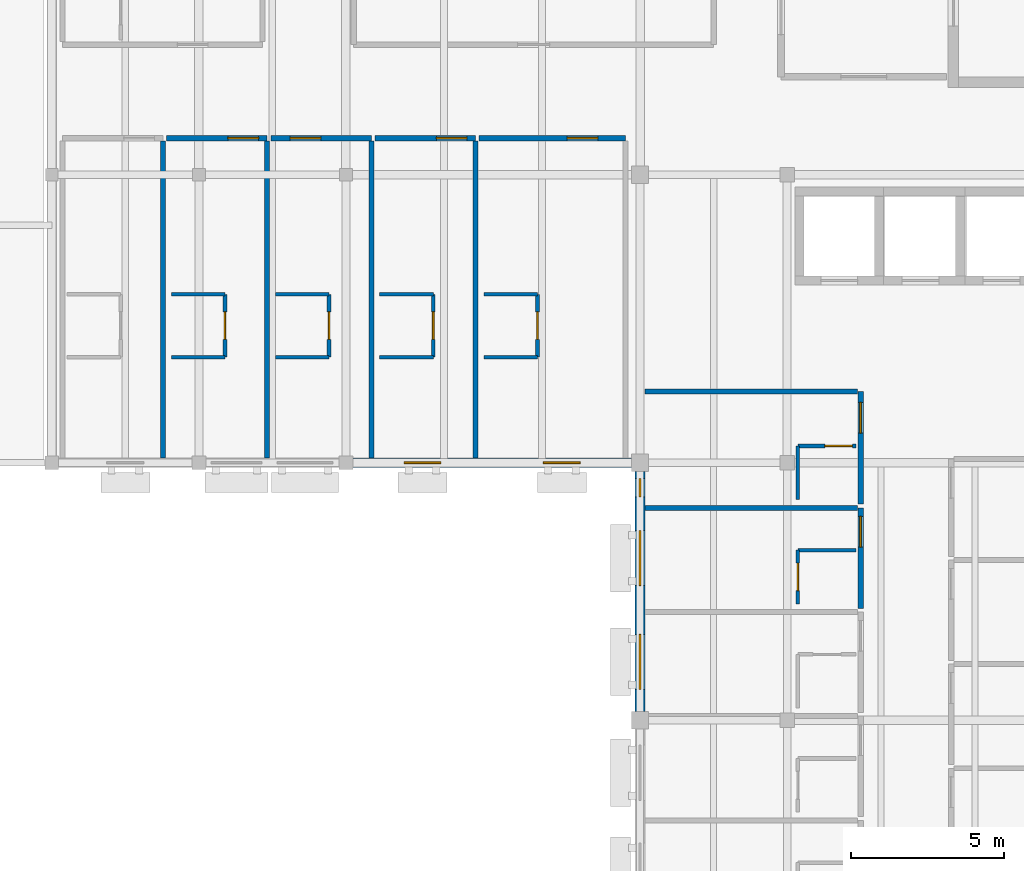
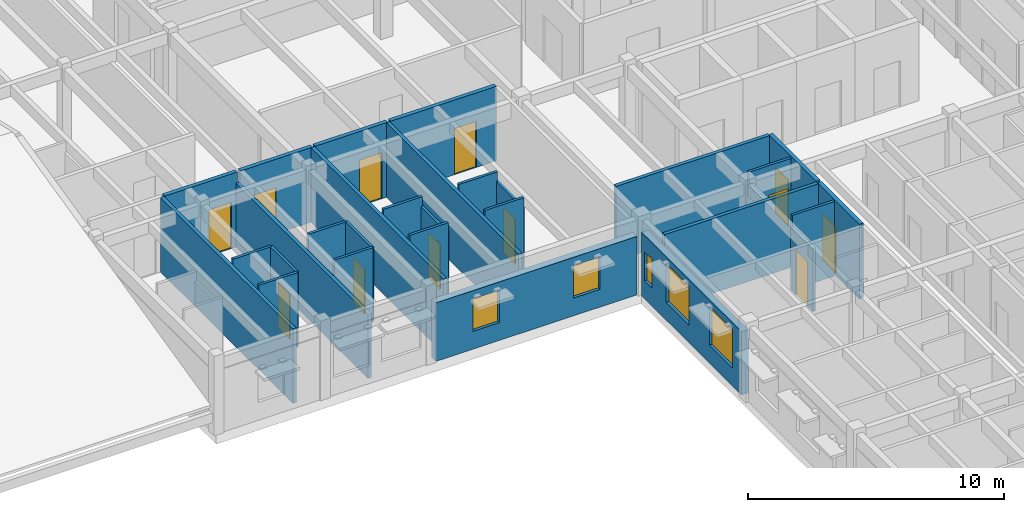
# One storey, part 31 of 40: 30 walls, 12 doors, 5 windows, 17 openings.
"""IFC4 building model written with IfcOpenShell, lengths in metres."""

from ifc_helpers import new_model, si_unit, direction, frame, frame_2d, origin, place, context, subcontext, project, spatial, rectangle, extrude, material, layer, layer_set, type_object, element, fill, save


model = new_model("IFC4")

# Units and contexts
model_context = context("Model", 3, precision=1e-05, world=origin(), true_north=direction((0.0, 1.0)))
body_context = subcontext(model_context, "Body", "Model", "MODEL_VIEW")
ifc_project = project(units=[si_unit("LENGTHUNIT", "METRE"), si_unit("AREAUNIT", "SQUARE_METRE"), si_unit("VOLUMEUNIT", "CUBIC_METRE"), si_unit("PLANEANGLEUNIT", "RADIAN"), si_unit("MASSUNIT", "GRAM", prefix="KILO")], contexts=[model_context])

# Site, building, storey
site_placement = place(None, origin())
site = spatial("IfcSite", under=ifc_project, at=site_placement, CompositionType="ELEMENT")
building_placement = place(site_placement, origin())
building = spatial("IfcBuilding", under=site, at=building_placement, Name="Veldera Park Congress Hotel", CompositionType="ELEMENT")
storey_placement = place(building_placement, frame((0.0, 0.0, 16.199951171875)))
storey = spatial("IfcBuildingStorey", under=building, at=storey_placement, Name="L03", CompositionType="ELEMENT", Elevation=16.199951171875)

# Wall, openings, windows
ifc_material_1 = material(Name="Cross-laminated timber CLT V2M1.1", Category="wood")
ifc_layer_1 = layer(ifc_material_1, 0.320068359375)
ifc_layer_set_1 = layer_set([ifc_layer_1], Name="Cross-laminated timber CLT V2M1.1")
wall_type_1 = type_object("IfcWallType", Name="EW-CLT320", PredefinedType="STANDARD", material=ifc_layer_set_1)
wall_1_placement = place(storey_placement, frame((51.423095703125, 27.0, 0.0), z_axis=(0.0, 0.0, 1.0), x_axis=(1.0, 0.0, 0.0)))
wall_1 = element("IfcWall", 1, at=wall_1_placement, inside=storey, type_object=wall_type_1, Name="L03 Exterior Wall EW3-L03-0232", PredefinedType="STANDARD", context=body_context, shape_type="SweptSolid", body=[
    extrude(rectangle(XDim=9.098876953125, YDim=0.320068359375, at=frame_2d((4.54931640625, 0.0))), origin(), (0.0, 0.0, 1.0), 2.795166015625),
])
opening_1_placement = place(wall_1_placement, frame((1.6748046875, 0.0, 0.85009765625)))
opening_1 = element("IfcOpeningElement", 2, at=opening_1_placement, cuts=wall_1, Name="Opening WIN-1200", PredefinedType="OPENING", context=body_context, shape_type="SweptSolid", body=[
    extrude(rectangle(XDim=1.199951171875, YDim=1.550048828125, at=frame_2d((0.60009765625, 0.77490234375))), frame((0.0, 0.172119140625, 0.0), z_axis=(0.0, -1.0, 0.0), x_axis=(1.0, 0.0, 0.0)), (0.0, 0.0, 1.0), 0.343994140625),
])
opening_2_placement = place(wall_1_placement, frame((6.22412109375, 0.0, 0.85009765625)))
opening_2 = element("IfcOpeningElement", 3, at=opening_2_placement, cuts=wall_1, Name="Opening WIN-1200", PredefinedType="OPENING", context=body_context, shape_type="SweptSolid", body=[
    extrude(rectangle(XDim=1.199951171875, YDim=1.550048828125, at=frame_2d((0.60009765625, 0.77490234375))), frame((0.0, 0.172119140625, 0.0), z_axis=(0.0, -1.0, 0.0), x_axis=(1.0, 0.0, 0.0)), (0.0, 0.0, 1.0), 0.343994140625),
])
ifc_material_2 = material(Name="Low-E Triple Insulating Glass Unit (SHGC 0.22)", Category="glass")
window_type_1 = type_object("IfcWindowType", Name="WIN-1200", PartitioningType="SINGLE_PANEL", PredefinedType="WINDOW", material=ifc_material_2)
window_1_placement = place(opening_1_placement, origin())
window_1 = element("IfcWindow", 4, at=window_1_placement, inside=storey, type_object=window_type_1, Name="L03 Window WIN-1200 196", OverallHeight=1.550048828125, OverallWidth=1.199951171875, PartitioningType="SINGLE_PANEL", PredefinedType="WINDOW", context=body_context, shape_type="SweptSolid", body=[
    extrude(rectangle(XDim=1.199951171875, YDim=1.550048828125, at=frame_2d((0.60009765625, 0.77490234375))), frame((0.0, 0.030029296875, 0.0), z_axis=(0.0, -1.0, 0.0), x_axis=(1.0, 0.0, 0.0)), (0.0, 0.0, 1.0), 0.06005859375),
])
fill(opening_1, window_1)
window_2_placement = place(opening_2_placement, origin())
window_2 = element("IfcWindow", 5, at=window_2_placement, inside=storey, type_object=window_type_1, Name="L03 Window WIN-1200 197", OverallHeight=1.550048828125, OverallWidth=1.199951171875, PartitioningType="SINGLE_PANEL", PredefinedType="WINDOW", context=body_context, shape_type="SweptSolid", body=[
    extrude(rectangle(XDim=1.199951171875, YDim=1.550048828125, at=frame_2d((0.60009765625, 0.77490234375))), frame((0.0, 0.030029296875, 0.0), z_axis=(0.0, -1.0, 0.0), x_axis=(1.0, 0.0, 0.0)), (0.0, 0.0, 1.0), 0.06005859375),
])
fill(opening_2, window_2)

wall_2_placement = place(storey_placement, frame((60.800048828125, 26.721923828125, 0.0), z_axis=(0.0, 0.0, 1.0), x_axis=(0.0, -1.0, 0.0)))
wall_2 = element("IfcWall", 6, at=wall_2_placement, inside=storey, type_object=wall_type_1, Name="L03 Exterior Wall EW3-L03-0233", PredefinedType="STANDARD", context=body_context, shape_type="SweptSolid", body=[
    extrude(rectangle(XDim=7.843994140625, YDim=0.320068359375, at=frame_2d((3.921875, 0.0))), origin(), (0.0, 0.0, 1.0), 3.01513671875),
])
opening_3_placement = place(wall_2_placement, frame((5.318115234375, 0.0, 0.85009765625)))
opening_3 = element("IfcOpeningElement", 7, at=opening_3_placement, cuts=wall_2, Name="Opening WIN-1800", PredefinedType="OPENING", context=body_context, shape_type="SweptSolid", body=[
    extrude(rectangle(XDim=1.800048828125, YDim=1.85009765625, at=frame_2d((0.89990234375, 0.925048828125))), frame((0.0, 0.172119140625, 0.0), z_axis=(0.0, -1.0, 0.0), x_axis=(1.0, 0.0, 0.0)), (0.0, 0.0, 1.0), 0.343994140625),
])
opening_4_placement = place(wall_2_placement, frame((1.931884765625, 0.0, 0.85009765625)))
opening_4 = element("IfcOpeningElement", 8, at=opening_4_placement, cuts=wall_2, Name="Opening WIN-1800", PredefinedType="OPENING", context=body_context, shape_type="SweptSolid", body=[
    extrude(rectangle(XDim=1.800048828125, YDim=1.85009765625, at=frame_2d((0.89990234375, 0.925048828125))), frame((0.0, 0.172119140625, 0.0), z_axis=(0.0, -1.0, 0.0), x_axis=(1.0, 0.0, 0.0)), (0.0, 0.0, 1.0), 0.343994140625),
])
opening_5_placement = place(wall_2_placement, frame((0.236083984375, 0.0, 0.85009765625)))
opening_5 = element("IfcOpeningElement", 9, at=opening_5_placement, cuts=wall_2, Name="Opening WIN-0600", PredefinedType="OPENING", context=body_context, shape_type="SweptSolid", body=[
    extrude(rectangle(XDim=0.60009765625, YDim=1.39990234375, at=frame_2d((0.300048828125, 0.699951171875))), frame((0.0, 0.172119140625, 0.0), z_axis=(0.0, -1.0, 0.0), x_axis=(1.0, 0.0, 0.0)), (0.0, 0.0, 1.0), 0.343994140625),
])
window_type_2 = type_object("IfcWindowType", Name="WIN-0600", PartitioningType="SINGLE_PANEL", PredefinedType="WINDOW", material=ifc_material_2)
window_3_placement = place(opening_5_placement, origin())
window_3 = element("IfcWindow", 10, at=window_3_placement, inside=storey, type_object=window_type_2, Name="L03 Window WIN-0600 417", OverallHeight=1.39990234375, OverallWidth=0.60009765625, PartitioningType="SINGLE_PANEL", PredefinedType="WINDOW", context=body_context, shape_type="SweptSolid", body=[
    extrude(rectangle(XDim=0.60009765625, YDim=1.39990234375, at=frame_2d((0.300048828125, 0.699951171875))), frame((0.0, 0.030029296875, 0.0), z_axis=(0.0, -1.0, 0.0), x_axis=(1.0, 0.0, 0.0)), (0.0, 0.0, 1.0), 0.06005859375),
])
fill(opening_5, window_3)
window_type_3 = type_object("IfcWindowType", Name="WIN-1800", PartitioningType="SINGLE_PANEL", PredefinedType="WINDOW", material=ifc_material_2)
window_4_placement = place(opening_3_placement, origin())
window_4 = element("IfcWindow", 11, at=window_4_placement, inside=storey, type_object=window_type_3, Name="L03 Window WIN-1800 415", OverallHeight=1.85009765625, OverallWidth=1.800048828125, PartitioningType="SINGLE_PANEL", PredefinedType="WINDOW", context=body_context, shape_type="SweptSolid", body=[
    extrude(rectangle(XDim=1.800048828125, YDim=1.85009765625, at=frame_2d((0.89990234375, 0.925048828125))), frame((0.0, 0.030029296875, 0.0), z_axis=(0.0, -1.0, 0.0), x_axis=(1.0, 0.0, 0.0)), (0.0, 0.0, 1.0), 0.06005859375),
])
fill(opening_3, window_4)
window_5_placement = place(opening_4_placement, origin())
window_5 = element("IfcWindow", 12, at=window_5_placement, inside=storey, type_object=window_type_3, Name="L03 Window WIN-1800 416", OverallHeight=1.85009765625, OverallWidth=1.800048828125, PartitioningType="SINGLE_PANEL", PredefinedType="WINDOW", context=body_context, shape_type="SweptSolid", body=[
    extrude(rectangle(XDim=1.800048828125, YDim=1.85009765625, at=frame_2d((0.89990234375, 0.925048828125))), frame((0.0, 0.030029296875, 0.0), z_axis=(0.0, -1.0, 0.0), x_axis=(1.0, 0.0, 0.0)), (0.0, 0.0, 1.0), 0.06005859375),
])
fill(opening_4, window_5)

# Wall, opening, door
ifc_material_3 = material(Name="Fire-Rated Gypsum Board on Cold-Formed Steel Studs", Category="steel")
ifc_layer_2 = layer(ifc_material_3, 0.1201171875)
ifc_layer_set_2 = layer_set([ifc_layer_2], Name="Fire-Rated Gypsum Board on Cold-Formed Steel Studs")
wall_type_2 = type_object("IfcWallType", Name="IW-BATH120", PredefinedType="PARTITIONING", material=ifc_layer_set_2)
wall_3_placement = place(storey_placement, frame((65.949951171875, 22.39990234375, 0.0), z_axis=(0.0, 0.0, 1.0), x_axis=(0.0, 1.0, 0.0)))
wall_3 = element("IfcWall", 13, at=wall_3_placement, inside=storey, type_object=wall_type_2, Name="L03 Partition Wall IW3-L03-00662", PredefinedType="PARTITIONING", context=body_context, shape_type="SweptSolid", body=[
    extrude(rectangle(XDim=1.75, YDim=0.1201171875, at=frame_2d((0.875, 0.0))), origin(), (0.0, 0.0, 1.0), 3.01513671875),
])
opening_6_placement = place(wall_3_placement, frame((0.425048828125, 0.0, 0.0)))
opening_6 = element("IfcOpeningElement", 14, at=opening_6_placement, cuts=wall_3, Name="Opening ID-BATH090", PredefinedType="OPENING", context=body_context, shape_type="SweptSolid", body=[
    extrude(rectangle(XDim=0.89990234375, YDim=2.14990234375, at=frame_2d((0.449951171875, 1.074951171875))), frame((0.0, 0.072021484375, 0.0), z_axis=(0.0, -1.0, 0.0), x_axis=(1.0, 0.0, 0.0)), (0.0, 0.0, 1.0), 0.14404296875),
])
ifc_material_4 = material(Name="Solid Core White Oak Architectural Door", Category="wood")
door_type_1 = type_object("IfcDoorType", Name="ID-BATH090", OperationType="NOTDEFINED", PredefinedType="DOOR", material=ifc_material_4)
door_1_placement = place(opening_6_placement, origin())
door_1 = element("IfcDoor", 15, at=door_1_placement, inside=storey, type_object=door_type_1, Name="L03 En-suite 067 Door ID3-L03-0273 (DR3-ID3-L03-0273)", OperationType="SINGLE_SWING_LEFT", OverallHeight=2.14990234375, OverallWidth=0.89990234375, PredefinedType="DOOR", context=body_context, shape_type="SweptSolid", body=[
    extrude(rectangle(XDim=0.89990234375, YDim=2.14990234375, at=frame_2d((0.449951171875, 1.074951171875))), frame((0.0, 0.02490234375, 0.0), z_axis=(0.0, -1.0, 0.0), x_axis=(1.0, 0.0, 0.0)), (0.0, 0.0, 1.0), 0.050048828125),
])
fill(opening_6, door_1)

# Walls
wall_4_placement = place(storey_placement, frame((65.949951171875, 24.14990234375, 0.0), z_axis=(0.0, 0.0, 1.0), x_axis=(1.0, 0.0, 0.0)))
element("IfcWall", 16, at=wall_4_placement, inside=storey, type_object=wall_type_2, Name="L03 Partition Wall IW3-L03-00663", PredefinedType="PARTITIONING", context=body_context, shape_type="SweptSolid", body=[
    extrude(rectangle(XDim=1.900146484375, YDim=0.1201171875, at=frame_2d((0.9501953125, 0.0))), origin(), (0.0, 0.0, 1.0), 3.56005859375),
])
wall_5_placement = place(storey_placement, frame((65.949951171875, 25.800048828125, 0.0), z_axis=(0.0, 0.0, 1.0), x_axis=(0.0, 1.0, 0.0)))
element("IfcWall", 17, at=wall_5_placement, inside=storey, type_object=wall_type_2, Name="L03 Partition Wall IW3-L03-00666", PredefinedType="PARTITIONING", context=body_context, shape_type="SweptSolid", body=[
    extrude(rectangle(XDim=1.75, YDim=0.1201171875, at=frame_2d((0.875, 0.0))), origin(), (0.0, 0.0, 1.0), 3.01513671875),
])

# Wall, opening, door
wall_6_placement = place(storey_placement, frame((65.949951171875, 27.550048828125, 0.0), z_axis=(0.0, 0.0, 1.0), x_axis=(1.0, 0.0, 0.0)))
wall_6 = element("IfcWall", 18, at=wall_6_placement, inside=storey, type_object=wall_type_2, Name="L03 Partition Wall IW3-L03-00667", PredefinedType="PARTITIONING", context=body_context, shape_type="SweptSolid", body=[
    extrude(rectangle(XDim=1.900146484375, YDim=0.1201171875, at=frame_2d((0.9501953125, 0.0))), origin(), (0.0, 0.0, 1.0), 3.56005859375),
])
opening_7_placement = place(wall_6_placement, frame((0.8798828125, 0.0, 0.0)))
opening_7 = element("IfcOpeningElement", 19, at=opening_7_placement, cuts=wall_6, Name="Opening ID-BATH090", PredefinedType="OPENING", context=body_context, shape_type="SweptSolid", body=[
    extrude(rectangle(XDim=0.89990234375, YDim=2.14990234375, at=frame_2d((0.449951171875, 1.074951171875))), frame((0.0, 0.072021484375, 0.0), z_axis=(0.0, -1.0, 0.0), x_axis=(1.0, 0.0, 0.0)), (0.0, 0.0, 1.0), 0.14404296875),
])
door_2_placement = place(opening_7_placement, origin())
door_2 = element("IfcDoor", 20, at=door_2_placement, inside=storey, type_object=door_type_1, Name="L03 En-suite 068 Door ID3-L03-0275 (DR3-ID3-L03-0275)", OperationType="SINGLE_SWING_LEFT", OverallHeight=2.14990234375, OverallWidth=0.89990234375, PredefinedType="DOOR", context=body_context, shape_type="SweptSolid", body=[
    extrude(rectangle(XDim=0.89990234375, YDim=2.14990234375, at=frame_2d((0.449951171875, 1.074951171875))), frame((0.0, 0.02490234375, 0.0), z_axis=(0.0, -1.0, 0.0), x_axis=(1.0, 0.0, 0.0)), (0.0, 0.0, 1.0), 0.050048828125),
])
fill(opening_7, door_2)

# Wall
wall_7_placement = place(storey_placement, frame((45.5, 32.5, 0.0), z_axis=(0.0, 0.0, 1.0), x_axis=(1.0, 0.0, 0.0)))
element("IfcWall", 21, at=wall_7_placement, inside=storey, type_object=wall_type_2, Name="L03 Partition Wall IW3-L03-00768", PredefinedType="PARTITIONING", context=body_context, shape_type="SweptSolid", body=[
    extrude(rectangle(XDim=1.75, YDim=0.1201171875, at=frame_2d((0.875, 0.0))), origin(), (0.0, 0.0, 1.0), 3.56005859375),
])

# Wall, opening, door
wall_8_placement = place(storey_placement, frame((47.25, 30.449951171875, 0.0), z_axis=(0.0, 0.0, 1.0), x_axis=(0.0, 1.0, 0.0)))
wall_8 = element("IfcWall", 22, at=wall_8_placement, inside=storey, type_object=wall_type_2, Name="L03 Partition Wall IW3-L03-00769", PredefinedType="PARTITIONING", context=body_context, shape_type="SweptSolid", body=[
    extrude(rectangle(XDim=2.050048828125, YDim=0.1201171875, at=frame_2d((1.02490234375, 0.0))), origin(), (0.0, 0.0, 1.0), 3.56005859375),
])
opening_8_placement = place(wall_8_placement, frame((0.574951171875, 0.0, 0.0)))
opening_8 = element("IfcOpeningElement", 23, at=opening_8_placement, cuts=wall_8, Name="Opening ID-BATH090", PredefinedType="OPENING", context=body_context, shape_type="SweptSolid", body=[
    extrude(rectangle(XDim=0.89990234375, YDim=2.14990234375, at=frame_2d((0.449951171875, 1.074951171875))), frame((0.0, 0.072021484375, 0.0), z_axis=(0.0, -1.0, 0.0), x_axis=(1.0, 0.0, 0.0)), (0.0, 0.0, 1.0), 0.14404296875),
])
door_3_placement = place(opening_8_placement, origin())
door_3 = element("IfcDoor", 24, at=door_3_placement, inside=storey, type_object=door_type_1, Name="L03 En-suite 088 Door ID3-L03-0315 (DR3-ID3-L03-0315)", OperationType="SINGLE_SWING_LEFT", OverallHeight=2.14990234375, OverallWidth=0.89990234375, PredefinedType="DOOR", context=body_context, shape_type="SweptSolid", body=[
    extrude(rectangle(XDim=0.89990234375, YDim=2.14990234375, at=frame_2d((0.449951171875, 1.074951171875))), frame((0.0, 0.02490234375, 0.0), z_axis=(0.0, -1.0, 0.0), x_axis=(1.0, 0.0, 0.0)), (0.0, 0.0, 1.0), 0.050048828125),
])
fill(opening_8, door_3)

# Walls
for number, where, z_axis, x_axis, name in (
    (25, (45.5, 30.449951171875, 0.0), (0.0, 0.0, 1.0), (1.0, 0.0, 0.0), "L03 Partition Wall IW3-L03-00770"),
    (26, (48.89990234375, 32.5, 0.0), (0.0, 0.0, 1.0), (1.0, 0.0, 0.0), "L03 Partition Wall IW3-L03-00773"),
):
    element("IfcWall", number, at=place(storey_placement, frame(where, z_axis=z_axis, x_axis=x_axis)), inside=storey, type_object=wall_type_2, Name=name, PredefinedType="PARTITIONING", context=body_context, shape_type="SweptSolid", body=[
        extrude(rectangle(XDim=1.75, YDim=0.1201171875, at=frame_2d((0.875, 0.0))), origin(), (0.0, 0.0, 1.0), 3.56005859375),
    ])

# Wall, opening, door
wall_9_placement = place(storey_placement, frame((50.64990234375, 30.449951171875, 0.0), z_axis=(0.0, 0.0, 1.0), x_axis=(0.0, 1.0, 0.0)))
wall_9 = element("IfcWall", 27, at=wall_9_placement, inside=storey, type_object=wall_type_2, Name="L03 Partition Wall IW3-L03-00774", PredefinedType="PARTITIONING", context=body_context, shape_type="SweptSolid", body=[
    extrude(rectangle(XDim=2.050048828125, YDim=0.1201171875, at=frame_2d((1.02490234375, 0.0))), origin(), (0.0, 0.0, 1.0), 3.56005859375),
])
opening_9_placement = place(wall_9_placement, frame((0.574951171875, 0.0, 0.0)))
opening_9 = element("IfcOpeningElement", 28, at=opening_9_placement, cuts=wall_9, Name="Opening ID-BATH090", PredefinedType="OPENING", context=body_context, shape_type="SweptSolid", body=[
    extrude(rectangle(XDim=0.89990234375, YDim=2.14990234375, at=frame_2d((0.449951171875, 1.074951171875))), frame((0.0, 0.072021484375, 0.0), z_axis=(0.0, -1.0, 0.0), x_axis=(1.0, 0.0, 0.0)), (0.0, 0.0, 1.0), 0.14404296875),
])
door_4_placement = place(opening_9_placement, origin())
door_4 = element("IfcDoor", 29, at=door_4_placement, inside=storey, type_object=door_type_1, Name="L03 En-suite 089 Door ID3-L03-0317 (DR3-ID3-L03-0317)", OperationType="SINGLE_SWING_LEFT", OverallHeight=2.14990234375, OverallWidth=0.89990234375, PredefinedType="DOOR", context=body_context, shape_type="SweptSolid", body=[
    extrude(rectangle(XDim=0.89990234375, YDim=2.14990234375, at=frame_2d((0.449951171875, 1.074951171875))), frame((0.0, 0.02490234375, 0.0), z_axis=(0.0, -1.0, 0.0), x_axis=(1.0, 0.0, 0.0)), (0.0, 0.0, 1.0), 0.050048828125),
])
fill(opening_9, door_4)

# Walls
for number, where, z_axis, x_axis, name in (
    (30, (48.89990234375, 30.449951171875, 0.0), (0.0, 0.0, 1.0), (1.0, 0.0, 0.0), "L03 Partition Wall IW3-L03-00775"),
    (31, (52.300048828125, 32.5, 0.0), (0.0, 0.0, 1.0), (1.0, 0.0, 0.0), "L03 Partition Wall IW3-L03-00778"),
):
    element("IfcWall", number, at=place(storey_placement, frame(where, z_axis=z_axis, x_axis=x_axis)), inside=storey, type_object=wall_type_2, Name=name, PredefinedType="PARTITIONING", context=body_context, shape_type="SweptSolid", body=[
        extrude(rectangle(XDim=1.75, YDim=0.1201171875, at=frame_2d((0.875, 0.0))), origin(), (0.0, 0.0, 1.0), 3.56005859375),
    ])

# Wall, opening, door
wall_10_placement = place(storey_placement, frame((54.050048828125, 30.449951171875, 0.0), z_axis=(0.0, 0.0, 1.0), x_axis=(0.0, 1.0, 0.0)))
wall_10 = element("IfcWall", 32, at=wall_10_placement, inside=storey, type_object=wall_type_2, Name="L03 Partition Wall IW3-L03-00779", PredefinedType="PARTITIONING", context=body_context, shape_type="SweptSolid", body=[
    extrude(rectangle(XDim=2.050048828125, YDim=0.1201171875, at=frame_2d((1.02490234375, 0.0))), origin(), (0.0, 0.0, 1.0), 3.10498046875),
])
opening_10_placement = place(wall_10_placement, frame((0.574951171875, 0.0, 0.0)))
opening_10 = element("IfcOpeningElement", 33, at=opening_10_placement, cuts=wall_10, Name="Opening ID-BATH090", PredefinedType="OPENING", context=body_context, shape_type="SweptSolid", body=[
    extrude(rectangle(XDim=0.89990234375, YDim=2.14990234375, at=frame_2d((0.449951171875, 1.074951171875))), frame((0.0, 0.072021484375, 0.0), z_axis=(0.0, -1.0, 0.0), x_axis=(1.0, 0.0, 0.0)), (0.0, 0.0, 1.0), 0.14404296875),
])
door_5_placement = place(opening_10_placement, origin())
door_5 = element("IfcDoor", 34, at=door_5_placement, inside=storey, type_object=door_type_1, Name="L03 En-suite 090 Door ID3-L03-0319 (DR3-ID3-L03-0319)", OperationType="SINGLE_SWING_LEFT", OverallHeight=2.14990234375, OverallWidth=0.89990234375, PredefinedType="DOOR", context=body_context, shape_type="SweptSolid", body=[
    extrude(rectangle(XDim=0.89990234375, YDim=2.14990234375, at=frame_2d((0.449951171875, 1.074951171875))), frame((0.0, 0.02490234375, 0.0), z_axis=(0.0, -1.0, 0.0), x_axis=(1.0, 0.0, 0.0)), (0.0, 0.0, 1.0), 0.050048828125),
])
fill(opening_10, door_5)

# Walls
for number, where, z_axis, x_axis, name in (
    (35, (52.300048828125, 30.449951171875, 0.0), (0.0, 0.0, 1.0), (1.0, 0.0, 0.0), "L03 Partition Wall IW3-L03-00780"),
    (36, (55.699951171875, 32.5, 0.0), (0.0, 0.0, 1.0), (1.0, 0.0, 0.0), "L03 Partition Wall IW3-L03-00783"),
):
    element("IfcWall", number, at=place(storey_placement, frame(where, z_axis=z_axis, x_axis=x_axis)), inside=storey, type_object=wall_type_2, Name=name, PredefinedType="PARTITIONING", context=body_context, shape_type="SweptSolid", body=[
        extrude(rectangle(XDim=1.75, YDim=0.1201171875, at=frame_2d((0.875, 0.0))), origin(), (0.0, 0.0, 1.0), 3.56005859375),
    ])

# Wall, opening, door
wall_11_placement = place(storey_placement, frame((57.449951171875, 30.449951171875, 0.0), z_axis=(0.0, 0.0, 1.0), x_axis=(0.0, 1.0, 0.0)))
wall_11 = element("IfcWall", 37, at=wall_11_placement, inside=storey, type_object=wall_type_2, Name="L03 Partition Wall IW3-L03-00784", PredefinedType="PARTITIONING", context=body_context, shape_type="SweptSolid", body=[
    extrude(rectangle(XDim=2.050048828125, YDim=0.1201171875, at=frame_2d((1.02490234375, 0.0))), origin(), (0.0, 0.0, 1.0), 3.10498046875),
])
opening_11_placement = place(wall_11_placement, frame((0.574951171875, 0.0, 0.0)))
opening_11 = element("IfcOpeningElement", 38, at=opening_11_placement, cuts=wall_11, Name="Opening ID-BATH090", PredefinedType="OPENING", context=body_context, shape_type="SweptSolid", body=[
    extrude(rectangle(XDim=0.89990234375, YDim=2.14990234375, at=frame_2d((0.449951171875, 1.074951171875))), frame((0.0, 0.072021484375, 0.0), z_axis=(0.0, -1.0, 0.0), x_axis=(1.0, 0.0, 0.0)), (0.0, 0.0, 1.0), 0.14404296875),
])
door_6_placement = place(opening_11_placement, origin())
door_6 = element("IfcDoor", 39, at=door_6_placement, inside=storey, type_object=door_type_1, Name="L03 En-suite 091 Door ID3-L03-0321 (DR3-ID3-L03-0321)", OperationType="SINGLE_SWING_LEFT", OverallHeight=2.14990234375, OverallWidth=0.89990234375, PredefinedType="DOOR", context=body_context, shape_type="SweptSolid", body=[
    extrude(rectangle(XDim=0.89990234375, YDim=2.14990234375, at=frame_2d((0.449951171875, 1.074951171875))), frame((0.0, 0.02490234375, 0.0), z_axis=(0.0, -1.0, 0.0), x_axis=(1.0, 0.0, 0.0)), (0.0, 0.0, 1.0), 0.050048828125),
])
fill(opening_11, door_6)

# Wall
wall_12_placement = place(storey_placement, frame((55.699951171875, 30.449951171875, 0.0), z_axis=(0.0, 0.0, 1.0), x_axis=(1.0, 0.0, 0.0)))
element("IfcWall", 40, at=wall_12_placement, inside=storey, type_object=wall_type_2, Name="L03 Partition Wall IW3-L03-00785", PredefinedType="PARTITIONING", context=body_context, shape_type="SweptSolid", body=[
    extrude(rectangle(XDim=1.75, YDim=0.1201171875, at=frame_2d((0.875, 0.0))), origin(), (0.0, 0.0, 1.0), 3.56005859375),
])

# Wall, opening, door
ifc_layer_3 = layer(ifc_material_3, 0.179931640625)
ifc_layer_set_3 = layer_set([ifc_layer_3], Name="Fire-Rated Gypsum Board on Cold-Formed Steel Studs")
wall_type_3 = type_object("IfcWallType", Name="IW-CORR180", PredefinedType="PARTITIONING", material=ifc_layer_set_3)
wall_13_placement = place(storey_placement, frame((68.0, 22.25, 0.0), z_axis=(0.0, 0.0, 1.0), x_axis=(0.0, 1.0, 0.0)))
wall_13 = element("IfcWall", 41, at=wall_13_placement, inside=storey, type_object=wall_type_3, Name="L03 Corridor Wall IW3-L03-00660", PredefinedType="PARTITIONING", context=body_context, shape_type="SweptSolid", body=[
    extrude(rectangle(XDim=3.280029296875, YDim=0.179931640625, at=frame_2d((1.64013671875, 0.0))), origin(), (0.0, 0.0, 1.0), 3.56005859375),
])
opening_12_placement = place(wall_13_placement, frame((2.0, 0.0, 0.0)))
opening_12 = element("IfcOpeningElement", 42, at=opening_12_placement, cuts=wall_13, Name="Opening ID-UNIT100", PredefinedType="OPENING", context=body_context, shape_type="SweptSolid", body=[
    extrude(rectangle(XDim=1.0, YDim=2.199951171875, at=frame_2d((0.5, 1.10009765625))), frame((0.0, 0.10205078125, 0.0), z_axis=(0.0, -1.0, 0.0), x_axis=(1.0, 0.0, 0.0)), (0.0, 0.0, 1.0), 0.203857421875),
])
door_type_2 = type_object("IfcDoorType", Name="ID-UNIT100", OperationType="NOTDEFINED", PredefinedType="DOOR", material=ifc_material_4)
door_7_placement = place(opening_12_placement, origin())
door_7 = element("IfcDoor", 43, at=door_7_placement, inside=storey, type_object=door_type_2, Name="L03 Guestroom 067 Entry Door (DR3-UD3-L03-067)", OperationType="SINGLE_SWING_RIGHT", OverallHeight=2.199951171875, OverallWidth=1.0, PredefinedType="DOOR", context=body_context, shape_type="SweptSolid", body=[
    extrude(rectangle(XDim=1.0, YDim=2.199951171875, at=frame_2d((0.5, 1.10009765625))), frame((0.0, 0.02490234375, 0.0), z_axis=(0.0, -1.0, 0.0), x_axis=(1.0, 0.0, 0.0)), (0.0, 0.0, 1.0), 0.050048828125),
])
fill(opening_12, door_7)

wall_14_placement = place(storey_placement, frame((68.0, 25.64990234375, 0.0), z_axis=(0.0, 0.0, 1.0), x_axis=(0.0, 1.0, 0.0)))
wall_14 = element("IfcWall", 44, at=wall_14_placement, inside=storey, type_object=wall_type_3, Name="L03 Corridor Wall IW3-L03-00664", PredefinedType="PARTITIONING", context=body_context, shape_type="SweptSolid", body=[
    extrude(rectangle(XDim=3.68017578125, YDim=0.179931640625, at=frame_2d((1.840087890625, 0.0))), origin(), (0.0, 0.0, 1.0), 3.56005859375),
])
opening_13_placement = place(wall_14_placement, frame((2.320068359375, 0.0, 0.0)))
opening_13 = element("IfcOpeningElement", 45, at=opening_13_placement, cuts=wall_14, Name="Opening ID-UNIT100", PredefinedType="OPENING", context=body_context, shape_type="SweptSolid", body=[
    extrude(rectangle(XDim=1.0, YDim=2.199951171875, at=frame_2d((0.5, 1.10009765625))), frame((0.0, 0.10205078125, 0.0), z_axis=(0.0, -1.0, 0.0), x_axis=(1.0, 0.0, 0.0)), (0.0, 0.0, 1.0), 0.203857421875),
])
door_8_placement = place(opening_13_placement, origin())
door_8 = element("IfcDoor", 46, at=door_8_placement, inside=storey, type_object=door_type_2, Name="L03 Guestroom 068 Entry Door (DR3-UD3-L03-068)", OperationType="SINGLE_SWING_RIGHT", OverallHeight=2.199951171875, OverallWidth=1.0, PredefinedType="DOOR", context=body_context, shape_type="SweptSolid", body=[
    extrude(rectangle(XDim=1.0, YDim=2.199951171875, at=frame_2d((0.5, 1.10009765625))), frame((0.0, 0.02490234375, 0.0), z_axis=(0.0, -1.0, 0.0), x_axis=(1.0, 0.0, 0.0)), (0.0, 0.0, 1.0), 0.050048828125),
])
fill(opening_13, door_8)

wall_15_placement = place(storey_placement, frame((48.6298828125, 37.60009765625, 0.0), z_axis=(0.0, 0.0, 1.0), x_axis=(-1.0, 0.0, 0.0)))
wall_15 = element("IfcWall", 47, at=wall_15_placement, inside=storey, type_object=wall_type_3, Name="L03 Corridor Wall IW3-L03-00766", PredefinedType="PARTITIONING", context=body_context, shape_type="SweptSolid", body=[
    extrude(rectangle(XDim=3.27978515625, YDim=0.179931640625, at=frame_2d((1.639892578125, 0.0))), origin(), (0.0, 0.0, 1.0), 3.56005859375),
])
opening_14_placement = place(wall_15_placement, frame((0.280029296875, 0.0, 0.0)))
opening_14 = element("IfcOpeningElement", 48, at=opening_14_placement, cuts=wall_15, Name="Opening ID-UNIT100", PredefinedType="OPENING", context=body_context, shape_type="SweptSolid", body=[
    extrude(rectangle(XDim=1.0, YDim=2.199951171875, at=frame_2d((0.5, 1.10009765625))), frame((0.0, 0.10205078125, 0.0), z_axis=(0.0, -1.0, 0.0), x_axis=(1.0, 0.0, 0.0)), (0.0, 0.0, 1.0), 0.203857421875),
])
door_9_placement = place(opening_14_placement, frame((1.0, 0.0, 0.0), z_axis=(0.0, 0.0, 1.0), x_axis=(-1.0, 0.0, 0.0)))
door_9 = element("IfcDoor", 49, at=door_9_placement, inside=storey, type_object=door_type_2, Name="L03 Guestroom 088 Entry Door (DR3-UD3-L03-088)", OperationType="SINGLE_SWING_RIGHT", OverallHeight=2.199951171875, OverallWidth=1.0, PredefinedType="DOOR", context=body_context, shape_type="SweptSolid", body=[
    extrude(rectangle(XDim=1.0, YDim=2.199951171875, at=frame_2d((0.5, 1.10009765625))), frame((0.0, 0.02490234375, 0.0), z_axis=(0.0, -1.0, 0.0), x_axis=(1.0, 0.0, 0.0)), (0.0, 0.0, 1.0), 0.050048828125),
])
fill(opening_14, door_9)

wall_16_placement = place(storey_placement, frame((52.030029296875, 37.60009765625, 0.0), z_axis=(0.0, 0.0, 1.0), x_axis=(-1.0, 0.0, 0.0)))
wall_16 = element("IfcWall", 50, at=wall_16_placement, inside=storey, type_object=wall_type_3, Name="L03 Corridor Wall IW3-L03-00771", PredefinedType="PARTITIONING", context=body_context, shape_type="SweptSolid", body=[
    extrude(rectangle(XDim=3.280029296875, YDim=0.179931640625, at=frame_2d((1.64013671875, 0.0))), origin(), (0.0, 0.0, 1.0), 3.56005859375),
])
opening_15_placement = place(wall_16_placement, frame((1.64990234375, 0.0, 0.0)))
opening_15 = element("IfcOpeningElement", 51, at=opening_15_placement, cuts=wall_16, Name="Opening ID-UNIT100", PredefinedType="OPENING", context=body_context, shape_type="SweptSolid", body=[
    extrude(rectangle(XDim=1.0, YDim=2.199951171875, at=frame_2d((0.5, 1.10009765625))), frame((0.0, 0.10205078125, 0.0), z_axis=(0.0, -1.0, 0.0), x_axis=(1.0, 0.0, 0.0)), (0.0, 0.0, 1.0), 0.203857421875),
])
door_10_placement = place(opening_15_placement, frame((1.0, 0.0, 0.0), z_axis=(0.0, 0.0, 1.0), x_axis=(-1.0, 0.0, 0.0)))
door_10 = element("IfcDoor", 52, at=door_10_placement, inside=storey, type_object=door_type_2, Name="L03 Guestroom 089 Entry Door (DR3-UD3-L03-089)", OperationType="SINGLE_SWING_RIGHT", OverallHeight=2.199951171875, OverallWidth=1.0, PredefinedType="DOOR", context=body_context, shape_type="SweptSolid", body=[
    extrude(rectangle(XDim=1.0, YDim=2.199951171875, at=frame_2d((0.5, 1.10009765625))), frame((0.0, 0.02490234375, 0.0), z_axis=(0.0, -1.0, 0.0), x_axis=(1.0, 0.0, 0.0)), (0.0, 0.0, 1.0), 0.050048828125),
])
fill(opening_15, door_10)

wall_17_placement = place(storey_placement, frame((55.429931640625, 37.60009765625, 0.0), z_axis=(0.0, 0.0, 1.0), x_axis=(-1.0, 0.0, 0.0)))
wall_17 = element("IfcWall", 53, at=wall_17_placement, inside=storey, type_object=wall_type_3, Name="L03 Corridor Wall IW3-L03-00776", PredefinedType="PARTITIONING", context=body_context, shape_type="SweptSolid", body=[
    extrude(rectangle(XDim=3.280029296875, YDim=0.179931640625, at=frame_2d((1.64013671875, 0.0))), origin(), (0.0, 0.0, 1.0), 3.56005859375),
])
opening_16_placement = place(wall_17_placement, frame((0.280029296875, 0.0, 0.0)))
opening_16 = element("IfcOpeningElement", 54, at=opening_16_placement, cuts=wall_17, Name="Opening ID-UNIT100", PredefinedType="OPENING", context=body_context, shape_type="SweptSolid", body=[
    extrude(rectangle(XDim=1.0, YDim=2.199951171875, at=frame_2d((0.5, 1.10009765625))), frame((0.0, 0.10205078125, 0.0), z_axis=(0.0, -1.0, 0.0), x_axis=(1.0, 0.0, 0.0)), (0.0, 0.0, 1.0), 0.203857421875),
])
door_11_placement = place(opening_16_placement, frame((1.0, 0.0, 0.0), z_axis=(0.0, 0.0, 1.0), x_axis=(-1.0, 0.0, 0.0)))
door_11 = element("IfcDoor", 55, at=door_11_placement, inside=storey, type_object=door_type_2, Name="L03 Guestroom 090 Entry Door (DR3-UD3-L03-090)", OperationType="SINGLE_SWING_RIGHT", OverallHeight=2.199951171875, OverallWidth=1.0, PredefinedType="DOOR", context=body_context, shape_type="SweptSolid", body=[
    extrude(rectangle(XDim=1.0, YDim=2.199951171875, at=frame_2d((0.5, 1.10009765625))), frame((0.0, 0.02490234375, 0.0), z_axis=(0.0, -1.0, 0.0), x_axis=(1.0, 0.0, 0.0)), (0.0, 0.0, 1.0), 0.050048828125),
])
fill(opening_16, door_11)

wall_18_placement = place(storey_placement, frame((60.330078125, 37.60009765625, 0.0), z_axis=(0.0, 0.0, 1.0), x_axis=(-1.0, 0.0, 0.0)))
wall_18 = element("IfcWall", 56, at=wall_18_placement, inside=storey, type_object=wall_type_3, Name="L03 Corridor Wall IW3-L03-00781", PredefinedType="PARTITIONING", context=body_context, shape_type="SweptSolid", body=[
    extrude(rectangle(XDim=4.780029296875, YDim=0.179931640625, at=frame_2d((2.39013671875, 0.0))), origin(), (0.0, 0.0, 1.0), 3.56005859375),
])
opening_17_placement = place(wall_18_placement, frame((0.909912109375, 0.0, 0.0)))
opening_17 = element("IfcOpeningElement", 57, at=opening_17_placement, cuts=wall_18, Name="Opening ID-UNIT100", PredefinedType="OPENING", context=body_context, shape_type="SweptSolid", body=[
    extrude(rectangle(XDim=1.0, YDim=2.199951171875, at=frame_2d((0.5, 1.10009765625))), frame((0.0, 0.10205078125, 0.0), z_axis=(0.0, -1.0, 0.0), x_axis=(1.0, 0.0, 0.0)), (0.0, 0.0, 1.0), 0.203857421875),
])
door_12_placement = place(opening_17_placement, frame((1.0, 0.0, 0.0), z_axis=(0.0, 0.0, 1.0), x_axis=(-1.0, 0.0, 0.0)))
door_12 = element("IfcDoor", 58, at=door_12_placement, inside=storey, type_object=door_type_2, Name="L03 Guestroom 091 Entry Door (DR3-UD3-L03-091)", OperationType="SINGLE_SWING_RIGHT", OverallHeight=2.199951171875, OverallWidth=1.0, PredefinedType="DOOR", context=body_context, shape_type="SweptSolid", body=[
    extrude(rectangle(XDim=1.0, YDim=2.199951171875, at=frame_2d((0.5, 1.10009765625))), frame((0.0, 0.02490234375, 0.0), z_axis=(0.0, -1.0, 0.0), x_axis=(1.0, 0.0, 0.0)), (0.0, 0.0, 1.0), 0.050048828125),
])
fill(opening_17, door_12)

# Walls
ifc_layer_4 = layer(ifc_material_1, 0.159912109375)
ifc_layer_set_4 = layer_set([ifc_layer_4], Name="Cross-laminated timber CLT V2M1.1")
wall_type_4 = type_object("IfcWallType", Name="IW-UNIT160", PredefinedType="PARTITIONING", material=ifc_layer_set_4)
for number, where, z_axis, x_axis, name in (
    (59, (60.9599609375, 25.530029296875, 0.0), (0.0, 0.0, 1.0), (1.0, 0.0, 0.0), "L03 Partition Wall IW3-L03-00661"),
    (60, (60.9599609375, 29.330078125, 0.0), (0.0, 0.0, 1.0), (1.0, 0.0, 0.0), "L03 Partition Wall IW3-L03-00665"),
):
    element("IfcWall", number, at=place(storey_placement, frame(where, z_axis=z_axis, x_axis=x_axis)), inside=storey, type_object=wall_type_4, Name=name, PredefinedType="PARTITIONING", context=body_context, shape_type="SweptSolid", body=[
        extrude(rectangle(XDim=6.93994140625, YDim=0.159912109375, at=frame_2d((3.469970703125, 0.0))), origin(), (0.0, 0.0, 1.0), 3.56005859375),
    ])
wall_19_placement = place(storey_placement, frame((45.22998046875, 27.159912109375, 0.0), z_axis=(0.0, 0.0, 1.0), x_axis=(0.0, 1.0, 0.0)))
element("IfcWall", 61, at=wall_19_placement, inside=storey, type_object=wall_type_4, Name="L03 Partition Wall IW3-L03-00762", PredefinedType="PARTITIONING", context=body_context, shape_type="SweptSolid", body=[
    extrude(rectangle(XDim=10.340087890625, YDim=0.159912109375, at=frame_2d((5.169921875, 0.0))), origin(), (0.0, 0.0, 1.0), 3.56005859375),
])
wall_20_placement = place(storey_placement, frame((48.6298828125, 27.159912109375, 0.0), z_axis=(0.0, 0.0, 1.0), x_axis=(0.0, 1.0, 0.0)))
element("IfcWall", 62, at=wall_20_placement, inside=storey, type_object=wall_type_4, Name="L03 Partition Wall IW3-L03-00767", PredefinedType="PARTITIONING", context=body_context, shape_type="SweptSolid", body=[
    extrude(rectangle(XDim=10.340087890625, YDim=0.159912109375, at=frame_2d((5.169921875, 0.0))), origin(), (0.0, 0.0, 1.0), 3.06005859375),
])
for number, where, z_axis, x_axis, name in (
    (63, (52.030029296875, 27.159912109375, 0.0), (0.0, 0.0, 1.0), (0.0, 1.0, 0.0), "L03 Partition Wall IW3-L03-00772"),
    (64, (55.429931640625, 27.159912109375, 0.0), (0.0, 0.0, 1.0), (0.0, 1.0, 0.0), "L03 Partition Wall IW3-L03-00777"),
):
    element("IfcWall", number, at=place(storey_placement, frame(where, z_axis=z_axis, x_axis=x_axis)), inside=storey, type_object=wall_type_4, Name=name, PredefinedType="PARTITIONING", context=body_context, shape_type="SweptSolid", body=[
        extrude(rectangle(XDim=10.340087890625, YDim=0.159912109375, at=frame_2d((5.169921875, 0.0))), origin(), (0.0, 0.0, 1.0), 3.56005859375),
    ])

save(model, "model.ifc")
